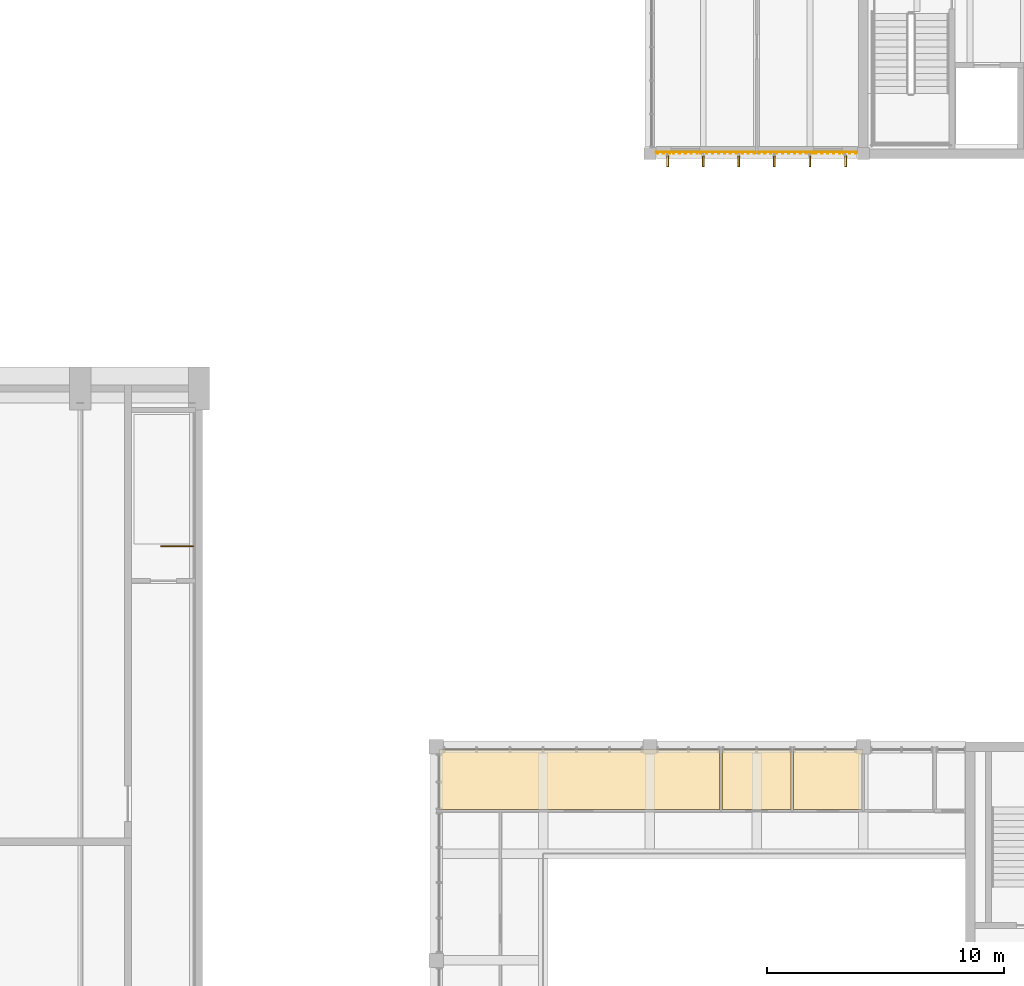
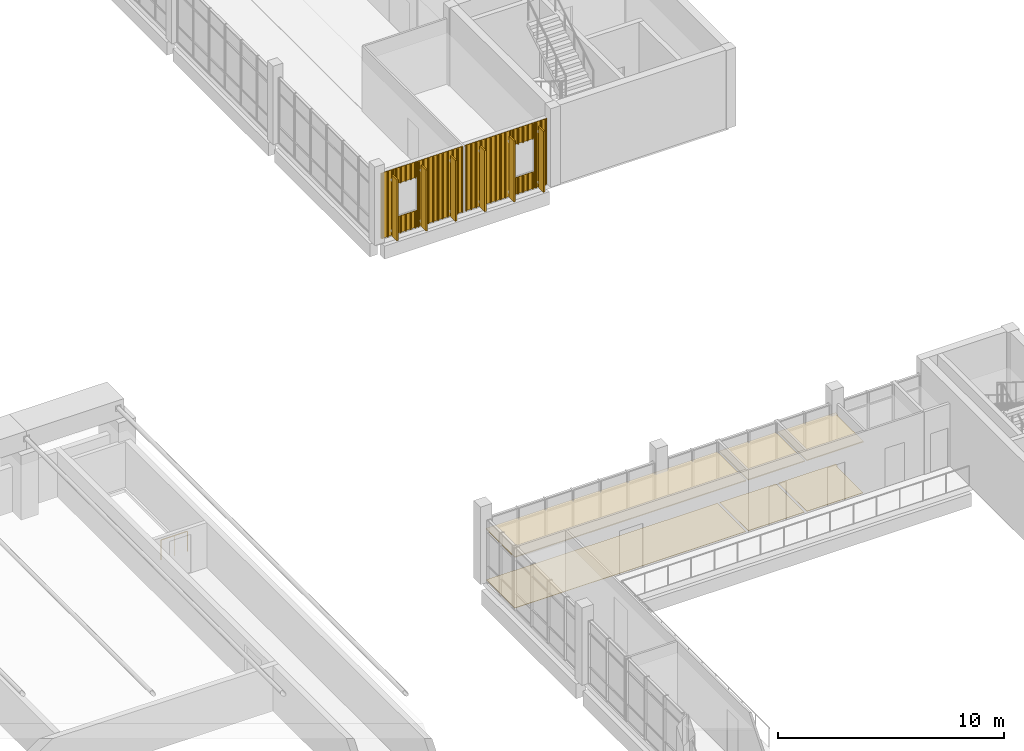
# One storey, part 73 of 92: 14 coverings, 6 shading devices, 1 railing.
"""IFC4 building model written with IfcOpenShell, lengths in metres."""

from ifc_helpers import new_model, si_unit, direction, frame, origin, origin_2d, place, context, subcontext, project, spatial, polyline, circle, outline, extrude, source, transform, mapped, material, layer, layer_set, type_object, element, save


model = new_model("IFC4")

# Units and contexts
model_context = context("Model", 3, precision=1e-05, world=origin(), true_north=direction((0.0, 1.0)))
body_context = subcontext(model_context, "Body", "Model", "MODEL_VIEW")
ifc_project = project(units=[si_unit("LENGTHUNIT", "METRE"), si_unit("AREAUNIT", "SQUARE_METRE"), si_unit("VOLUMEUNIT", "CUBIC_METRE"), si_unit("PLANEANGLEUNIT", "RADIAN"), si_unit("MASSUNIT", "GRAM", prefix="KILO")], contexts=[model_context])

# Site, building, storey
site_placement = place(None, origin())
site = spatial("IfcSite", under=ifc_project, at=site_placement, CompositionType="ELEMENT")
building_placement = place(site_placement, origin())
building = spatial("IfcBuilding", under=site, at=building_placement, Name="Merrow Basin Faculty of Sciences", CompositionType="ELEMENT")
storey_placement = place(building_placement, frame((0.0, 0.0, 4.5)))
storey = spatial("IfcBuildingStorey", under=building, at=storey_placement, Name="L01", CompositionType="ELEMENT", Elevation=4.5)

# Coverings
ifc_material_1 = material(Name="Carpet tile floor")
ifc_layer_1 = layer(ifc_material_1, 0.02001953125)
ifc_layer_set_1 = layer_set([ifc_layer_1], Name="Carpet tile floor")
covering_type_1 = type_object("IfcCoveringType", Name="Carpet tile floor", PredefinedType="FLOORING", material=ifc_layer_set_1)
covering_1_placement = place(storey_placement, origin())
element("IfcCovering", 1, at=covering_1_placement, inside=storey, type_object=covering_type_1, Name="Floor finish L01-A-013", PredefinedType="FLOORING", context=body_context, shape_type="SweptSolid", body=[
    extrude(outline(polyline([(45.110107421875, 35.889892578125), (56.93994140625, 35.889892578125), (56.93994140625, 33.360107421875), (45.110107421875, 33.360107421875), (45.110107421875, 35.889892578125)])), origin(), (0.0, 0.0, 1.0), 0.02001953125),
])
ifc_material_2 = material(Name="Ceramic floor tile")
ifc_layer_2 = layer(ifc_material_2, 0.02001953125)
ifc_layer_set_2 = layer_set([ifc_layer_2], Name="Ceramic floor tile")
covering_type_2 = type_object("IfcCoveringType", Name="Ceramic floor tile", PredefinedType="FLOORING", material=ifc_layer_set_2)
covering_2_placement = place(storey_placement, origin())
element("IfcCovering", 2, at=covering_2_placement, inside=storey, type_object=covering_type_2, Name="Floor finish L01-A-014", PredefinedType="FLOORING", context=body_context, shape_type="SweptSolid", body=[
    extrude(outline(polyline([(59.93994140625, 35.889892578125), (59.93994140625, 33.360107421875), (57.06005859375, 33.360107421875), (57.06005859375, 35.889892578125), (59.93994140625, 35.889892578125)])), origin(), (0.0, 0.0, 1.0), 0.02001953125),
])
covering_3_placement = place(storey_placement, origin())
element("IfcCovering", 3, at=covering_3_placement, inside=storey, type_object=covering_type_2, Name="Floor finish L01-A-015", PredefinedType="FLOORING", context=body_context, shape_type="SweptSolid", body=[
    extrude(outline(polyline([(62.989990234375, 35.889892578125), (62.989990234375, 35.7099609375), (62.93994140625, 35.7099609375), (62.93994140625, 33.360107421875), (60.06005859375, 33.360107421875), (60.06005859375, 35.889892578125), (62.989990234375, 35.889892578125)])), origin(), (0.0, 0.0, 1.0), 0.02001953125),
])

# Railing
ifc_material_3 = material(Name="Steel ASTM A36", Category="steel")
railing_type = type_object("IfcRailingType", Name="Steel guard 1100", PredefinedType="GUARDRAIL", material=ifc_material_3)
railing_placement = place(storey_placement, frame((34.75, 44.449951171875, 0.0)))
element("IfcRailing", 4, at=railing_placement, inside=storey, type_object=railing_type, Name="L01 ST-V1-NE top well guard 1", PredefinedType="GUARDRAIL", context=body_context, shape_type="SweptSolid", body=[
    extrude(circle(Radius=0.02392578125, at=origin_2d()), frame((0.0, 0.0, 1.076171875), z_axis=(-1.0, 0.0, 0.0), x_axis=(0.0, -1.0, 0.0)), (0.0, 0.0, 1.0), 1.35009765625),
    extrude(circle(Radius=0.02099609375, at=origin_2d()), origin(), (0.0, 0.0, 1.0), 1.052001953125),
    extrude(circle(Radius=0.02099609375, at=origin_2d()), frame((-0.675048828125, 0.0, 0.0)), (0.0, 0.0, 1.0), 1.052001953125),
    extrude(circle(Radius=0.02099609375, at=origin_2d()), frame((-1.35009765625, 0.0, 0.0)), (0.0, 0.0, 1.0), 1.052001953125),
])

# Coverings
ifc_material_4 = material(Name="Mineral fibre ceiling tile")
ifc_layer_3 = layer(ifc_material_4, 0.050048828125)
ifc_layer_set_3 = layer_set([ifc_layer_3], Name="Suspended acoustic ceiling tile")
covering_type_3 = type_object("IfcCoveringType", Name="Suspended acoustic ceiling tile", PredefinedType="CEILING", material=ifc_layer_set_3)
covering_4_placement = place(storey_placement, frame((0.0, 0.0, 2.75)))
element("IfcCovering", 5, at=covering_4_placement, inside=storey, type_object=covering_type_3, Name="Ceiling L01-A-013", PredefinedType="CEILING", context=body_context, shape_type="SweptSolid", body=[
    extrude(outline(polyline([(45.10009765625, 35.89990234375), (56.949951171875, 35.89990234375), (56.949951171875, 33.35009765625), (45.10009765625, 33.35009765625), (45.10009765625, 35.89990234375)])), origin(), (0.0, 0.0, 1.0), 0.050048828125),
])
covering_5_placement = place(storey_placement, frame((0.0, 0.0, 2.75)))
element("IfcCovering", 6, at=covering_5_placement, inside=storey, type_object=covering_type_3, Name="Ceiling L01-A-014", PredefinedType="CEILING", context=body_context, shape_type="SweptSolid", body=[
    extrude(outline(polyline([(59.949951171875, 35.89990234375), (59.949951171875, 33.35009765625), (57.050048828125, 33.35009765625), (57.050048828125, 35.89990234375), (59.949951171875, 35.89990234375)])), origin(), (0.0, 0.0, 1.0), 0.050048828125),
])
covering_6_placement = place(storey_placement, frame((0.0, 0.0, 2.75)))
element("IfcCovering", 7, at=covering_6_placement, inside=storey, type_object=covering_type_3, Name="Ceiling L01-A-015", PredefinedType="CEILING", context=body_context, shape_type="SweptSolid", body=[
    extrude(outline(polyline([(63.0, 35.89990234375), (63.0, 35.699951171875), (62.949951171875, 35.699951171875), (62.949951171875, 33.35009765625), (60.050048828125, 33.35009765625), (60.050048828125, 35.89990234375), (63.0, 35.89990234375)])), origin(), (0.0, 0.0, 1.0), 0.050048828125),
])
ifc_material_5 = material(Name="Larch timber", Category="wood")
ifc_layer_4 = layer(ifc_material_5, 0.0849609375)
ifc_layer_set_4 = layer_set([ifc_layer_4], Name="Larch batten cladding 85")
covering_type_4 = type_object("IfcCoveringType", Name="Larch batten cladding 85", PredefinedType="CLADDING", material=ifc_layer_set_4)
shared_shape_1 = source(origin(), body_context, "Body", "SweptSolid", [
    extrude(outline(polyline([(0.0, 0.0), (2.35009765625, 0.0), (2.35009765625, 0.02490234375), (2.324951171875, 0.02490234375), (2.324951171875, 0.0849609375), (2.27490234375, 0.0849609375), (2.27490234375, 0.02490234375), (2.074951171875, 0.02490234375), (2.074951171875, 0.0849609375), (2.02490234375, 0.0849609375), (2.02490234375, 0.02490234375), (1.824951171875, 0.02490234375), (1.824951171875, 0.0849609375), (1.77490234375, 0.0849609375), (1.77490234375, 0.02490234375), (1.574951171875, 0.02490234375), (1.574951171875, 0.0849609375), (1.52490234375, 0.0849609375), (1.52490234375, 0.02490234375), (1.324951171875, 0.02490234375), (1.324951171875, 0.0849609375), (1.27490234375, 0.0849609375), (1.27490234375, 0.02490234375), (1.074951171875, 0.02490234375), (1.074951171875, 0.0849609375), (1.02490234375, 0.0849609375), (1.02490234375, 0.02490234375), (0.824951171875, 0.02490234375), (0.824951171875, 0.0849609375), (0.77490234375, 0.0849609375), (0.77490234375, 0.02490234375), (0.574951171875, 0.02490234375), (0.574951171875, 0.0849609375), (0.52490234375, 0.0849609375), (0.52490234375, 0.02490234375), (0.324951171875, 0.02490234375), (0.324951171875, 0.0849609375), (0.27490234375, 0.0849609375), (0.27490234375, 0.02490234375), (0.074951171875, 0.02490234375), (0.074951171875, 0.0849609375), (0.02490234375, 0.0849609375), (0.02490234375, 0.02490234375), (0.0, 0.02490234375), (0.0, 0.0)])), origin(), (0.0, 0.0, 1.0), 3.550048828125),
])
for number, where, z_axis, x_axis, name in (
    (8, (58.449951171875, 61.0849609375, 0.0), (0.0, 0.0, 1.0), (-1.0, 0.0, 0.0), "Larch batten cladding"),
    (9, (60.89990234375, 61.0849609375, 0.0), (0.0, 0.0, 1.0), (-1.0, 0.0, 0.0), "Larch batten cladding"),
):
    element("IfcCovering", number, at=place(storey_placement, frame(where, z_axis=z_axis, x_axis=x_axis)), inside=storey, type_object=covering_type_4, Name=name, PredefinedType="CLADDING", context=body_context, shape_type="MappedRepresentation", body=[
        mapped(shared_shape_1, transform((0.0, 0.0, 0.0), scale=1.0)),
    ])
shared_shape_2 = source(origin(), body_context, "Body", "SweptSolid", [
    extrude(outline(polyline([(0.0, 0.0), (1.199951171875, 0.0), (1.199951171875, 0.02490234375), (1.125, 0.02490234375), (1.125, 0.0849609375), (1.074951171875, 0.0849609375), (1.074951171875, 0.02490234375), (0.875, 0.02490234375), (0.875, 0.0849609375), (0.824951171875, 0.0849609375), (0.824951171875, 0.02490234375), (0.625, 0.02490234375), (0.625, 0.0849609375), (0.574951171875, 0.0849609375), (0.574951171875, 0.02490234375), (0.375, 0.02490234375), (0.375, 0.0849609375), (0.324951171875, 0.0849609375), (0.324951171875, 0.02490234375), (0.125, 0.02490234375), (0.125, 0.0849609375), (0.074951171875, 0.0849609375), (0.074951171875, 0.02490234375), (0.0, 0.02490234375), (0.0, 0.0)])), origin(), (0.0, 0.0, 1.0), 0.89990234375),
])
for number, where, z_axis, x_axis, name in (
    (10, (56.10009765625, 61.0849609375, 0.0), (0.0, 0.0, 1.0), (-1.0, 0.0, 0.0), "Larch batten cladding"),
    (11, (62.10009765625, 61.0849609375, 0.0), (0.0, 0.0, 1.0), (-1.0, 0.0, 0.0), "Larch batten cladding"),
):
    element("IfcCovering", number, at=place(storey_placement, frame(where, z_axis=z_axis, x_axis=x_axis)), inside=storey, type_object=covering_type_4, Name=name, PredefinedType="CLADDING", context=body_context, shape_type="MappedRepresentation", body=[
        mapped(shared_shape_2, transform((0.0, 0.0, 0.0), scale=1.0)),
    ])
shared_shape_3 = source(origin(), body_context, "Body", "SweptSolid", [
    extrude(outline(polyline([(0.0, 0.0), (1.199951171875, 0.0), (1.199951171875, 0.02490234375), (1.125, 0.02490234375), (1.125, 0.0849609375), (1.074951171875, 0.0849609375), (1.074951171875, 0.02490234375), (0.875, 0.02490234375), (0.875, 0.0849609375), (0.824951171875, 0.0849609375), (0.824951171875, 0.02490234375), (0.625, 0.02490234375), (0.625, 0.0849609375), (0.574951171875, 0.0849609375), (0.574951171875, 0.02490234375), (0.375, 0.02490234375), (0.375, 0.0849609375), (0.324951171875, 0.0849609375), (0.324951171875, 0.02490234375), (0.125, 0.02490234375), (0.125, 0.0849609375), (0.074951171875, 0.0849609375), (0.074951171875, 0.02490234375), (0.0, 0.02490234375), (0.0, 0.0)])), origin(), (0.0, 0.0, 1.0), 0.85009765625),
])
for number, where, z_axis, x_axis, name in (
    (12, (56.10009765625, 61.0849609375, 2.699951171875), (0.0, 0.0, 1.0), (-1.0, 0.0, 0.0), "Larch batten cladding"),
    (13, (62.10009765625, 61.0849609375, 2.699951171875), (0.0, 0.0, 1.0), (-1.0, 0.0, 0.0), "Larch batten cladding"),
):
    element("IfcCovering", number, at=place(storey_placement, frame(where, z_axis=z_axis, x_axis=x_axis)), inside=storey, type_object=covering_type_4, Name=name, PredefinedType="CLADDING", context=body_context, shape_type="MappedRepresentation", body=[
        mapped(shared_shape_3, transform((0.0, 0.0, 0.0), scale=1.0)),
    ])
shared_shape_4 = source(origin(), body_context, "Body", "SweptSolid", [
    extrude(outline(polyline([(0.0, 0.0), (0.64990234375, 0.0), (0.64990234375, 0.02490234375), (0.60009765625, 0.02490234375), (0.60009765625, 0.0849609375), (0.550048828125, 0.0849609375), (0.550048828125, 0.02490234375), (0.35009765625, 0.02490234375), (0.35009765625, 0.0849609375), (0.300048828125, 0.0849609375), (0.300048828125, 0.02490234375), (0.10009765625, 0.02490234375), (0.10009765625, 0.0849609375), (0.050048828125, 0.0849609375), (0.050048828125, 0.02490234375), (0.0, 0.02490234375), (0.0, 0.0)])), origin(), (0.0, 0.0, 1.0), 3.550048828125),
])
for number, where, z_axis, x_axis, name in (
    (14, (54.89990234375, 61.0849609375, 0.0), (0.0, 0.0, 1.0), (-1.0, 0.0, 0.0), "Larch batten cladding"),
    (15, (62.75, 61.0849609375, 0.0), (0.0, 0.0, 1.0), (-1.0, 0.0, 0.0), "Larch batten cladding"),
):
    element("IfcCovering", number, at=place(storey_placement, frame(where, z_axis=z_axis, x_axis=x_axis)), inside=storey, type_object=covering_type_4, Name=name, PredefinedType="CLADDING", context=body_context, shape_type="MappedRepresentation", body=[
        mapped(shared_shape_4, transform((0.0, 0.0, 0.0), scale=1.0)),
    ])

# Shading devices
ifc_material_6 = material(Name="Larch timber", Category="wood")
shading_device_type = type_object("IfcShadingDeviceType", Name="Larch timber fin 80 x 450", PredefinedType="USERDEFINED", material=ifc_material_6)
shared_shape_5 = source(origin(), body_context, "Body", "SweptSolid", [
    extrude(outline(polyline([(0.0, 0.0), (0.080078125, 0.0), (0.080078125, 3.300048828125), (0.0, 3.300048828125), (0.0, 0.0)])), origin(), (0.0, 0.0, 1.0), 0.449951171875),
])
for number, where, z_axis, x_axis, name in (
    (16, (54.7099609375, 60.90087890625, 0.10009765625), (0.0, -1.0, 0.0), (1.0, 0.0, 0.0), "Timber fin SL01"),
    (17, (56.2099609375, 60.90087890625, 0.10009765625), (0.0, -1.0, 0.0), (1.0, 0.0, 0.0), "Timber fin SL01"),
    (18, (57.7099609375, 60.90087890625, 0.10009765625), (0.0, -1.0, 0.0), (1.0, 0.0, 0.0), "Timber fin SL01"),
    (19, (59.2099609375, 60.90087890625, 0.10009765625), (0.0, -1.0, 0.0), (1.0, 0.0, 0.0), "Timber fin SL01"),
    (20, (60.7099609375, 60.90087890625, 0.10009765625), (0.0, -1.0, 0.0), (1.0, 0.0, 0.0), "Timber fin SL01"),
    (21, (62.2099609375, 60.90087890625, 0.10009765625), (0.0, -1.0, 0.0), (1.0, 0.0, 0.0), "Timber fin SL01"),
):
    element("IfcShadingDevice", number, at=place(storey_placement, frame(where, z_axis=z_axis, x_axis=x_axis)), inside=storey, type_object=shading_device_type, Name=name, ObjectType="FIN", PredefinedType="USERDEFINED", context=body_context, shape_type="MappedRepresentation", body=[
        mapped(shared_shape_5, transform((0.0, 0.0, 0.0), scale=1.0)),
    ])

save(model, "model.ifc")
